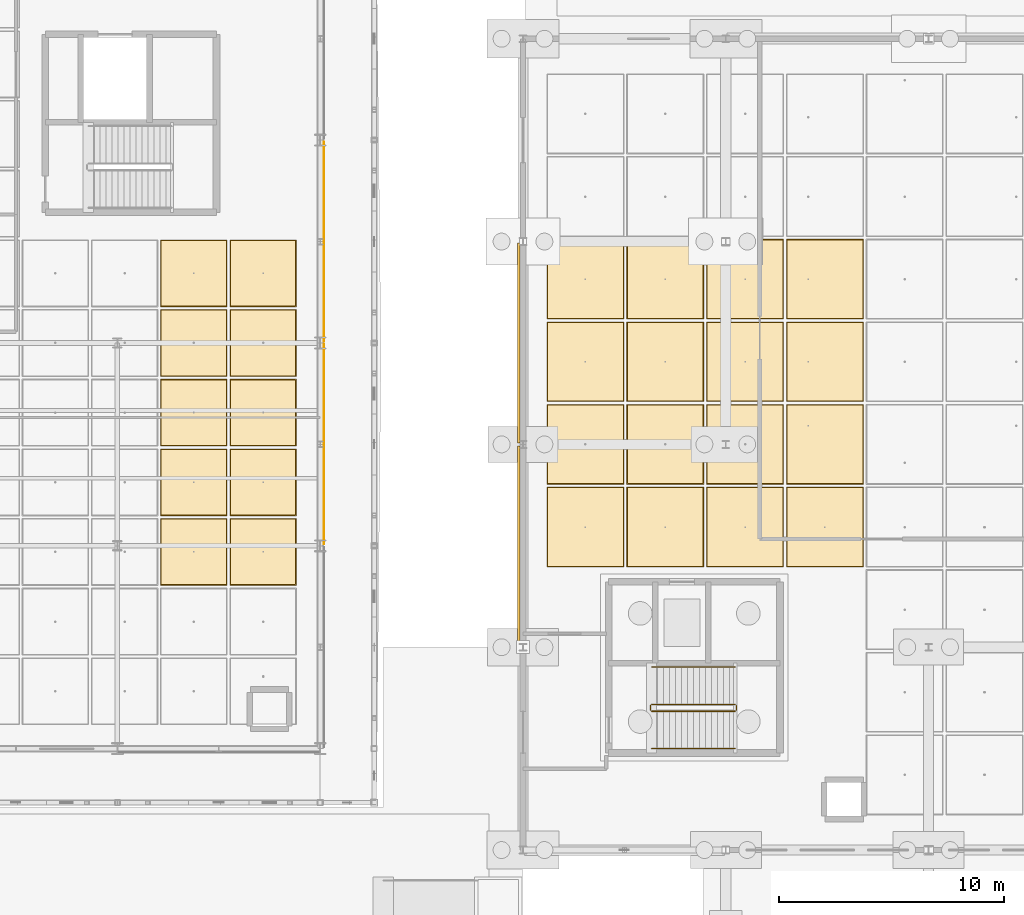
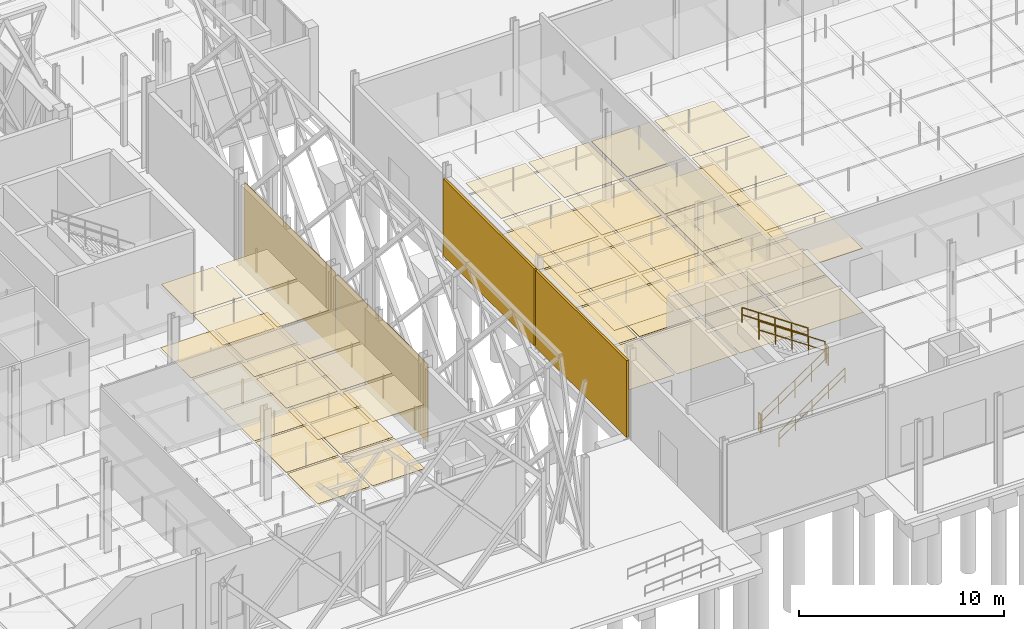
# One storey, part 165 of 180: 56 coverings, 6 railings.
"""IFC4 building model written with IfcOpenShell, lengths in metres."""

from ifc_helpers import new_model, si_unit, direction, frame, origin, origin_2d, place, context, subcontext, project, spatial, rectangle, circle, extrude, material, layer, layer_set, type_object, element, save


model = new_model("IFC4")

# Units and contexts
model_context = context("Model", 3, precision=1e-05, world=origin(), true_north=direction((0.0, 1.0)))
body_context = subcontext(model_context, "Body", "Model", "MODEL_VIEW")
ifc_project = project(units=[si_unit("LENGTHUNIT", "METRE"), si_unit("AREAUNIT", "SQUARE_METRE"), si_unit("VOLUMEUNIT", "CUBIC_METRE"), si_unit("PLANEANGLEUNIT", "RADIAN"), si_unit("MASSUNIT", "GRAM", prefix="KILO"), si_unit("THERMODYNAMICTEMPERATUREUNIT", "KELVIN"), si_unit("POWERUNIT", "WATT")], contexts=[model_context])

# Site, building, storey
site_placement = place(None, origin())
site = spatial("IfcSite", under=ifc_project, at=site_placement, CompositionType="ELEMENT")
building_placement = place(site_placement, origin())
building = spatial("IfcBuilding", under=site, at=building_placement, Name="Tallowbark Science Centre", CompositionType="ELEMENT")
storey_placement = place(building_placement, origin())
storey = spatial("IfcBuildingStorey", under=building, at=storey_placement, Name="L00", CompositionType="ELEMENT", Elevation=0.0)

# Coverings
ifc_material_1 = material(Name="Perforated Spotted Gum Acoustic Baffle Ceiling", Category="wood")
ifc_layer_1 = layer(ifc_material_1, 0.02490234375)
ifc_layer_set_1 = layer_set([ifc_layer_1], Name="Perforated Spotted Gum Acoustic Baffle Ceiling")
covering_type_1 = type_object("IfcCoveringType", Name="CLG-TIM-25", PredefinedType="CEILING", material=ifc_layer_set_1)
for number, where, z_axis, x_axis, name in (
    (1, (97.892822265625, 13.227294921875, 3.78759765625), (0.0, 0.0, 1.0), (1.0, 0.0, 0.0), "Suspended Ceiling L00-189"),
    (2, (97.892822265625, 16.318115234375, 3.78759765625), (0.0, 0.0, 1.0), (1.0, 0.0, 0.0), "Suspended Ceiling L00-190"),
    (3, (97.892822265625, 19.4091796875, 3.78759765625), (0.0, 0.0, 1.0), (1.0, 0.0, 0.0), "Suspended Ceiling L00-191"),
    (4, (97.892822265625, 22.5, 3.78759765625), (0.0, 0.0, 1.0), (1.0, 0.0, 0.0), "Suspended Ceiling L00-192"),
    (5, (97.892822265625, 25.5908203125, 3.78759765625), (0.0, 0.0, 1.0), (1.0, 0.0, 0.0), "Suspended Ceiling L00-193"),
    (6, (100.96435546875, 13.227294921875, 3.78759765625), (0.0, 0.0, 1.0), (1.0, 0.0, 0.0), "Suspended Ceiling L00-196"),
    (7, (100.96435546875, 16.318115234375, 3.78759765625), (0.0, 0.0, 1.0), (1.0, 0.0, 0.0), "Suspended Ceiling L00-197"),
    (8, (100.96435546875, 19.4091796875, 3.78759765625), (0.0, 0.0, 1.0), (1.0, 0.0, 0.0), "Suspended Ceiling L00-198"),
    (9, (100.96435546875, 22.5, 3.78759765625), (0.0, 0.0, 1.0), (1.0, 0.0, 0.0), "Suspended Ceiling L00-199"),
    (10, (100.96435546875, 25.5908203125, 3.78759765625), (0.0, 0.0, 1.0), (1.0, 0.0, 0.0), "Suspended Ceiling L00-200"),
):
    element("IfcCovering", number, at=place(storey_placement, frame(where, z_axis=z_axis, x_axis=x_axis)), inside=storey, type_object=covering_type_1, Name=name, PredefinedType="CEILING", context=body_context, shape_type="SweptSolid", body=[
        extrude(rectangle(XDim=2.891357421875, YDim=2.910888671875, at=origin_2d()), origin(), (0.0, 0.0, 1.0), 0.02490234375),
    ])
for number, where, z_axis, x_axis, name in (
    (11, (115.270751953125, 14.333251953125, 3.78759765625), (0.0, 0.0, 1.0), (1.0, 0.0, 0.0), "Suspended Ceiling L00-201"),
    (12, (115.270751953125, 18.0, 3.78759765625), (0.0, 0.0, 1.0), (1.0, 0.0, 0.0), "Suspended Ceiling L00-202"),
    (13, (115.270751953125, 21.666748046875, 3.78759765625), (0.0, 0.0, 1.0), (1.0, 0.0, 0.0), "Suspended Ceiling L00-203"),
    (14, (115.270751953125, 25.333251953125, 3.78759765625), (0.0, 0.0, 1.0), (1.0, 0.0, 0.0), "Suspended Ceiling L00-204"),
    (15, (118.8125, 14.333251953125, 3.78759765625), (0.0, 0.0, 1.0), (1.0, 0.0, 0.0), "Suspended Ceiling L00-207"),
    (16, (118.8125, 18.0, 3.78759765625), (0.0, 0.0, 1.0), (1.0, 0.0, 0.0), "Suspended Ceiling L00-208"),
    (17, (118.8125, 21.666748046875, 3.78759765625), (0.0, 0.0, 1.0), (1.0, 0.0, 0.0), "Suspended Ceiling L00-209"),
    (18, (118.8125, 25.333251953125, 3.78759765625), (0.0, 0.0, 1.0), (1.0, 0.0, 0.0), "Suspended Ceiling L00-210"),
    (19, (122.354248046875, 14.333251953125, 3.78759765625), (0.0, 0.0, 1.0), (1.0, 0.0, 0.0), "Suspended Ceiling L00-213"),
    (20, (122.354248046875, 18.0, 3.78759765625), (0.0, 0.0, 1.0), (1.0, 0.0, 0.0), "Suspended Ceiling L00-214"),
    (21, (122.354248046875, 21.666748046875, 3.78759765625), (0.0, 0.0, 1.0), (1.0, 0.0, 0.0), "Suspended Ceiling L00-215"),
    (22, (122.354248046875, 25.333251953125, 3.78759765625), (0.0, 0.0, 1.0), (1.0, 0.0, 0.0), "Suspended Ceiling L00-216"),
    (23, (125.895751953125, 14.333251953125, 3.78759765625), (0.0, 0.0, 1.0), (1.0, 0.0, 0.0), "Suspended Ceiling L00-219"),
    (24, (125.895751953125, 18.0, 3.78759765625), (0.0, 0.0, 1.0), (1.0, 0.0, 0.0), "Suspended Ceiling L00-220"),
    (25, (125.895751953125, 21.666748046875, 3.78759765625), (0.0, 0.0, 1.0), (1.0, 0.0, 0.0), "Suspended Ceiling L00-221"),
    (26, (125.895751953125, 25.333251953125, 3.78759765625), (0.0, 0.0, 1.0), (1.0, 0.0, 0.0), "Suspended Ceiling L00-222"),
):
    element("IfcCovering", number, at=place(storey_placement, frame(where, z_axis=z_axis, x_axis=x_axis)), inside=storey, type_object=covering_type_1, Name=name, PredefinedType="CEILING", context=body_context, shape_type="SweptSolid", body=[
        extrude(rectangle(XDim=3.36181640625, YDim=3.48681640625, at=origin_2d()), origin(), (0.0, 0.0, 1.0), 0.02490234375),
    ])
ifc_material_2 = material(Name="White Architectural Precast Concrete Grade N40 (40 MPa)", Category="concrete")
ifc_layer_2 = layer(ifc_material_2, 0.1201171875)
ifc_layer_set_2 = layer_set([ifc_layer_2], Name="White Architectural Precast Concrete Grade N40 (40 MPa)")
covering_type_2 = type_object("IfcCoveringType", Name="COV-PRC-CLAD", PredefinedType="CLADDING", material=ifc_layer_set_2)
for number, where, z_axis, x_axis, name in (
    (27, (112.3076171875, 13.5, 0.0498046875), (0.0, 0.0, 1.0), (0.0, -1.0, 0.0), "Architectural Rainscreen THT-W-L00-1"),
    (28, (112.3076171875, 22.5, 0.0498046875), (0.0, 0.0, 1.0), (0.0, -1.0, 0.0), "Architectural Rainscreen THT-W-L00-2"),
):
    element("IfcCovering", number, at=place(storey_placement, frame(where, z_axis=z_axis, x_axis=x_axis)), inside=storey, type_object=covering_type_2, Name=name, PredefinedType="CLADDING", context=body_context, shape_type="SweptSolid", body=[
        extrude(rectangle(XDim=8.8798828125, YDim=0.1201171875, at=origin_2d()), origin(), (0.0, 0.0, 1.0), 4.581298828125),
    ])
ifc_material_3 = material(Name="Spotted Gum Hardwood Architectural Rainscreen", Category="wood")
ifc_layer_3 = layer(ifc_material_3, 0.0419921875)
ifc_layer_set_3 = layer_set([ifc_layer_3], Name="Spotted Gum Hardwood Architectural Rainscreen")
covering_type_3 = type_object("IfcCoveringType", Name="COV-TIM-CLAD", PredefinedType="CLADDING", material=ifc_layer_set_3)
for number, where, z_axis, x_axis, name in (
    (29, (103.66845703125, 18.0, 0.0498046875), (0.0, 0.0, 1.0), (0.0, 1.0, 0.0), "Architectural Rainscreen CUB-E-L00-1"),
    (30, (103.66845703125, 27.0, 0.0498046875), (0.0, 0.0, 1.0), (0.0, 1.0, 0.0), "Architectural Rainscreen CUB-E-L00-2"),
):
    element("IfcCovering", number, at=place(storey_placement, frame(where, z_axis=z_axis, x_axis=x_axis)), inside=storey, type_object=covering_type_3, Name=name, PredefinedType="CLADDING", context=body_context, shape_type="SweptSolid", body=[
        extrude(rectangle(XDim=8.8798828125, YDim=0.0419921875, at=origin_2d()), origin(), (0.0, 0.0, 1.0), 4.646240234375),
    ])
ifc_material_4 = material(Name="Solution-Dyed Acoustic Theatre Carpet Tile")
ifc_layer_4 = layer(ifc_material_4, 0.013916015625)
ifc_layer_set_4 = layer_set([ifc_layer_4], Name="Solution-Dyed Acoustic Theatre Carpet Tile")
covering_type_4 = type_object("IfcCoveringType", Name="FLR-CRP-14", PredefinedType="FLOORING", material=ifc_layer_set_4)
for number, where, z_axis, x_axis, name in (
    (31, (115.270751953125, 14.333251953125, 0.0), (0.0, 0.0, 1.0), (1.0, 0.0, 0.0), "Floor Finish L00-201"),
    (32, (115.270751953125, 18.0, 0.0), (0.0, 0.0, 1.0), (1.0, 0.0, 0.0), "Floor Finish L00-202"),
    (33, (115.270751953125, 21.666748046875, 0.0), (0.0, 0.0, 1.0), (1.0, 0.0, 0.0), "Floor Finish L00-203"),
    (34, (115.270751953125, 25.333251953125, 0.0), (0.0, 0.0, 1.0), (1.0, 0.0, 0.0), "Floor Finish L00-204"),
    (35, (118.8125, 14.333251953125, 0.0), (0.0, 0.0, 1.0), (1.0, 0.0, 0.0), "Floor Finish L00-207"),
    (36, (118.8125, 18.0, 0.0), (0.0, 0.0, 1.0), (1.0, 0.0, 0.0), "Floor Finish L00-208"),
    (37, (118.8125, 21.666748046875, 0.0), (0.0, 0.0, 1.0), (1.0, 0.0, 0.0), "Floor Finish L00-209"),
    (38, (118.8125, 25.333251953125, 0.0), (0.0, 0.0, 1.0), (1.0, 0.0, 0.0), "Floor Finish L00-210"),
    (39, (122.354248046875, 14.333251953125, 0.0), (0.0, 0.0, 1.0), (1.0, 0.0, 0.0), "Floor Finish L00-213"),
    (40, (122.354248046875, 18.0, 0.0), (0.0, 0.0, 1.0), (1.0, 0.0, 0.0), "Floor Finish L00-214"),
    (41, (122.354248046875, 21.666748046875, 0.0), (0.0, 0.0, 1.0), (1.0, 0.0, 0.0), "Floor Finish L00-215"),
    (42, (122.354248046875, 25.333251953125, 0.0), (0.0, 0.0, 1.0), (1.0, 0.0, 0.0), "Floor Finish L00-216"),
    (43, (125.895751953125, 14.333251953125, 0.0), (0.0, 0.0, 1.0), (1.0, 0.0, 0.0), "Floor Finish L00-219"),
    (44, (125.895751953125, 18.0, 0.0), (0.0, 0.0, 1.0), (1.0, 0.0, 0.0), "Floor Finish L00-220"),
    (45, (125.895751953125, 21.666748046875, 0.0), (0.0, 0.0, 1.0), (1.0, 0.0, 0.0), "Floor Finish L00-221"),
    (46, (125.895751953125, 25.333251953125, 0.0), (0.0, 0.0, 1.0), (1.0, 0.0, 0.0), "Floor Finish L00-222"),
):
    element("IfcCovering", number, at=place(storey_placement, frame(where, z_axis=z_axis, x_axis=x_axis)), inside=storey, type_object=covering_type_4, Name=name, PredefinedType="FLOORING", context=body_context, shape_type="SweptSolid", body=[
        extrude(rectangle(XDim=3.421630859375, YDim=3.546630859375, at=origin_2d()), origin(), (0.0, 0.0, 1.0), 0.013916015625),
    ])
ifc_material_5 = material(Name="Polished Recycled-Glass Terrazzo Foyer Flooring", Category="glass")
ifc_layer_5 = layer(ifc_material_5, 0.02001953125)
ifc_layer_set_5 = layer_set([ifc_layer_5], Name="Polished Recycled-Glass Terrazzo Foyer Flooring")
covering_type_5 = type_object("IfcCoveringType", Name="FLR-TER-20", PredefinedType="FLOORING", material=ifc_layer_set_5)
for number, where, z_axis, x_axis, name in (
    (47, (97.892822265625, 13.227294921875, 0.0), (0.0, 0.0, 1.0), (1.0, 0.0, 0.0), "Floor Finish L00-189"),
    (48, (97.892822265625, 16.318115234375, 0.0), (0.0, 0.0, 1.0), (1.0, 0.0, 0.0), "Floor Finish L00-190"),
    (49, (97.892822265625, 19.4091796875, 0.0), (0.0, 0.0, 1.0), (1.0, 0.0, 0.0), "Floor Finish L00-191"),
    (50, (97.892822265625, 22.5, 0.0), (0.0, 0.0, 1.0), (1.0, 0.0, 0.0), "Floor Finish L00-192"),
    (51, (97.892822265625, 25.5908203125, 0.0), (0.0, 0.0, 1.0), (1.0, 0.0, 0.0), "Floor Finish L00-193"),
    (52, (100.96435546875, 13.227294921875, 0.0), (0.0, 0.0, 1.0), (1.0, 0.0, 0.0), "Floor Finish L00-196"),
    (53, (100.96435546875, 16.318115234375, 0.0), (0.0, 0.0, 1.0), (1.0, 0.0, 0.0), "Floor Finish L00-197"),
    (54, (100.96435546875, 19.4091796875, 0.0), (0.0, 0.0, 1.0), (1.0, 0.0, 0.0), "Floor Finish L00-198"),
    (55, (100.96435546875, 22.5, 0.0), (0.0, 0.0, 1.0), (1.0, 0.0, 0.0), "Floor Finish L00-199"),
    (56, (100.96435546875, 25.5908203125, 0.0), (0.0, 0.0, 1.0), (1.0, 0.0, 0.0), "Floor Finish L00-200"),
):
    element("IfcCovering", number, at=place(storey_placement, frame(where, z_axis=z_axis, x_axis=x_axis)), inside=storey, type_object=covering_type_5, Name=name, PredefinedType="FLOORING", context=body_context, shape_type="SweptSolid", body=[
        extrude(rectangle(XDim=2.951416015625, YDim=2.970947265625, at=origin_2d()), origin(), (0.0, 0.0, 1.0), 0.02001953125),
    ])

# Railings
ifc_material_6 = material(Name="Galvanised Painted Steel and Laminated Glass Balustrade", Category="steel")
ifc_layer_6 = layer(ifc_material_6, 0.070068359375)
ifc_layer_set_6 = layer_set([ifc_layer_6], Name="Galvanised Painted Steel and Laminated Glass Balustrade")
railing_type_1 = type_object("IfcRailingType", Name="RLG-BAL-1150", PredefinedType="BALUSTRADE", material=ifc_layer_set_6)
railing_1_placement = place(storey_placement, frame((118.2099609375, 6.159912109375, 0.179931640625)))
element("IfcRailing", 57, at=railing_1_placement, inside=storey, type_object=railing_type_1, Name="L00 ST-06 stair guard 1", PredefinedType="BALUSTRADE", context=body_context, shape_type="SweptSolid", body=[
    extrude(circle(Radius=0.02392578125, at=origin_2d()), frame((0.0, 0.0, 1.076171875), z_axis=(0.827211917306, 0.0, 0.561890063861), x_axis=(0.0, 1.0, 0.0)), (0.0, 0.0, 1.0), 4.48486328125),
    extrude(circle(Radius=0.02392578125, at=origin_2d()), frame((0.0, 0.0, 0.550048828125), z_axis=(0.827211917306, 0.0, 0.561890063861), x_axis=(0.0, 1.0, 0.0)), (0.0, 0.0, 1.0), 4.48486328125),
    extrude(circle(Radius=0.02099609375, at=origin_2d()), origin(), (0.0, 0.0, 1.0), 1.052001953125),
    extrude(circle(Radius=0.02099609375, at=origin_2d()), frame((0.927490234375, 0.0, 0.6298828125)), (0.0, 0.0, 1.0), 1.052001953125),
    extrude(circle(Radius=0.02099609375, at=origin_2d()), frame((1.85498046875, 0.0, 1.260009765625)), (0.0, 0.0, 1.0), 1.052001953125),
    extrude(circle(Radius=0.02099609375, at=origin_2d()), frame((2.782470703125, 0.0, 1.89013671875)), (0.0, 0.0, 1.0), 1.052001953125),
    extrude(circle(Radius=0.02099609375, at=origin_2d()), frame((3.7099609375, 0.0, 2.52001953125)), (0.0, 0.0, 1.0), 1.052001953125),
])
railing_2_placement = place(storey_placement, frame((121.969970703125, 6.2099609375, 2.699951171875)))
element("IfcRailing", 58, at=railing_2_placement, inside=storey, type_object=railing_type_1, Name="L00 ST-06 stair guard 2", PredefinedType="BALUSTRADE", context=body_context, shape_type="SweptSolid", body=[
    extrude(circle(Radius=0.02392578125, at=origin_2d()), frame((0.0, 0.0, 1.076171875), z_axis=(0.0, 1.0, 0.0), x_axis=(-1.0, 0.0, 0.0)), (0.0, 0.0, 1.0), 0.199951171875),
    extrude(circle(Radius=0.02392578125, at=origin_2d()), frame((0.0, 0.0, 0.550048828125), z_axis=(0.0, 1.0, 0.0), x_axis=(-1.0, 0.0, 0.0)), (0.0, 0.0, 1.0), 0.199951171875),
    extrude(circle(Radius=0.02099609375, at=origin_2d()), origin(), (0.0, 0.0, 1.0), 1.052001953125),
    extrude(circle(Radius=0.02099609375, at=origin_2d()), frame((0.0, 0.199951171875, 0.0)), (0.0, 0.0, 1.0), 1.052001953125),
])
railing_3_placement = place(storey_placement, frame((121.919921875, 6.4599609375, 2.8798828125)))
element("IfcRailing", 59, at=railing_3_placement, inside=storey, type_object=railing_type_1, Name="L00 ST-06 stair guard 3", PredefinedType="BALUSTRADE", context=body_context, shape_type="SweptSolid", body=[
    extrude(circle(Radius=0.02392578125, at=origin_2d()), frame((0.0, 0.0, 1.076171875), z_axis=(-0.827211917306, 0.0, 0.561890063861), x_axis=(0.0, -1.0, 0.0)), (0.0, 0.0, 1.0), 4.48486328125),
    extrude(circle(Radius=0.02392578125, at=origin_2d()), frame((0.0, 0.0, 0.550048828125), z_axis=(-0.827211917306, 0.0, 0.561890063861), x_axis=(0.0, -1.0, 0.0)), (0.0, 0.0, 1.0), 4.48486328125),
    extrude(circle(Radius=0.02099609375, at=origin_2d()), origin(), (0.0, 0.0, 1.0), 1.052001953125),
    extrude(circle(Radius=0.02099609375, at=origin_2d()), frame((-0.927490234375, 0.0, 0.6298828125)), (0.0, 0.0, 1.0), 1.052001953125),
    extrude(circle(Radius=0.02099609375, at=origin_2d()), frame((-1.85498046875, 0.0, 1.260009765625)), (0.0, 0.0, 1.0), 1.052001953125),
    extrude(circle(Radius=0.02099609375, at=origin_2d()), frame((-2.782470703125, 0.0, 1.89013671875)), (0.0, 0.0, 1.0), 1.052001953125),
    extrude(circle(Radius=0.02099609375, at=origin_2d()), frame((-3.7099609375, 0.0, 2.52001953125)), (0.0, 0.0, 1.0), 1.052001953125),
])
railing_4_placement = place(storey_placement, frame((118.159912109375, 6.2099609375, 0.0)))
element("IfcRailing", 60, at=railing_4_placement, inside=storey, type_object=railing_type_1, Name="L00 ST-06 stair guard 4", PredefinedType="BALUSTRADE", context=body_context, shape_type="SweptSolid", body=[
    extrude(circle(Radius=0.02392578125, at=origin_2d()), frame((0.0, 0.0, 1.076171875), z_axis=(0.0, 1.0, 0.0), x_axis=(-1.0, 0.0, 0.0)), (0.0, 0.0, 1.0), 0.199951171875),
    extrude(circle(Radius=0.02392578125, at=origin_2d()), frame((0.0, 0.0, 0.550048828125), z_axis=(0.0, 1.0, 0.0), x_axis=(-1.0, 0.0, 0.0)), (0.0, 0.0, 1.0), 0.199951171875),
    extrude(circle(Radius=0.02099609375, at=origin_2d()), origin(), (0.0, 0.0, 1.0), 1.052001953125),
    extrude(circle(Radius=0.02099609375, at=origin_2d()), frame((0.0, 0.199951171875, 0.0)), (0.0, 0.0, 1.0), 1.052001953125),
])
ifc_material_7 = material(Name="Brushed Grade 316 Stainless Steel Handrail", Category="steel")
ifc_layer_7 = layer(ifc_material_7, 0.050048828125)
ifc_layer_set_7 = layer_set([ifc_layer_7], Name="Brushed Grade 316 Stainless Steel Handrail")
railing_type_2 = type_object("IfcRailingType", Name="RLG-HDR-950", PredefinedType="HANDRAIL", material=ifc_layer_set_7)
railing_5_placement = place(storey_placement, frame((118.2099609375, 4.5, 0.179931640625)))
element("IfcRailing", 61, at=railing_5_placement, inside=storey, type_object=railing_type_2, Name="L00 ST-06 stair handrail 1", PredefinedType="HANDRAIL", context=body_context, shape_type="SweptSolid", body=[
    extrude(circle(Radius=0.02392578125, at=origin_2d()), frame((0.0, 0.0, 0.8759765625), z_axis=(0.827211917306, 0.0, 0.561890063861), x_axis=(0.0, 1.0, 0.0)), (0.0, 0.0, 1.0), 4.48486328125),
    extrude(circle(Radius=0.02392578125, at=origin_2d()), frame((0.0, 0.0, 0.449951171875), z_axis=(0.827211917306, 0.0, 0.561890063861), x_axis=(0.0, 1.0, 0.0)), (0.0, 0.0, 1.0), 4.48486328125),
    extrude(circle(Radius=0.02099609375, at=origin_2d()), origin(), (0.0, 0.0, 1.0), 0.851806640625),
    extrude(circle(Radius=0.02099609375, at=origin_2d()), frame((0.927490234375, 0.0, 0.6298828125)), (0.0, 0.0, 1.0), 0.851806640625),
    extrude(circle(Radius=0.02099609375, at=origin_2d()), frame((1.85498046875, 0.0, 1.260009765625)), (0.0, 0.0, 1.0), 0.851806640625),
    extrude(circle(Radius=0.02099609375, at=origin_2d()), frame((2.782470703125, 0.0, 1.89013671875)), (0.0, 0.0, 1.0), 0.851806640625),
    extrude(circle(Radius=0.02099609375, at=origin_2d()), frame((3.7099609375, 0.0, 2.52001953125)), (0.0, 0.0, 1.0), 0.851806640625),
])
railing_6_placement = place(storey_placement, frame((121.919921875, 8.1201171875, 2.8798828125)))
element("IfcRailing", 62, at=railing_6_placement, inside=storey, type_object=railing_type_2, Name="L00 ST-06 stair handrail 2", PredefinedType="HANDRAIL", context=body_context, shape_type="SweptSolid", body=[
    extrude(circle(Radius=0.02392578125, at=origin_2d()), frame((0.0, 0.0, 0.8759765625), z_axis=(-0.827211917306, 0.0, 0.561890063861), x_axis=(0.0, -1.0, 0.0)), (0.0, 0.0, 1.0), 4.48486328125),
    extrude(circle(Radius=0.02392578125, at=origin_2d()), frame((0.0, 0.0, 0.449951171875), z_axis=(-0.827211917306, 0.0, 0.561890063861), x_axis=(0.0, -1.0, 0.0)), (0.0, 0.0, 1.0), 4.48486328125),
    extrude(circle(Radius=0.02099609375, at=origin_2d()), origin(), (0.0, 0.0, 1.0), 0.851806640625),
    extrude(circle(Radius=0.02099609375, at=origin_2d()), frame((-0.927490234375, 0.0, 0.6298828125)), (0.0, 0.0, 1.0), 0.851806640625),
    extrude(circle(Radius=0.02099609375, at=origin_2d()), frame((-1.85498046875, 0.0, 1.260009765625)), (0.0, 0.0, 1.0), 0.851806640625),
    extrude(circle(Radius=0.02099609375, at=origin_2d()), frame((-2.782470703125, 0.0, 1.89013671875)), (0.0, 0.0, 1.0), 0.851806640625),
    extrude(circle(Radius=0.02099609375, at=origin_2d()), frame((-3.7099609375, 0.0, 2.52001953125)), (0.0, 0.0, 1.0), 0.851806640625),
])

save(model, "model.ifc")
